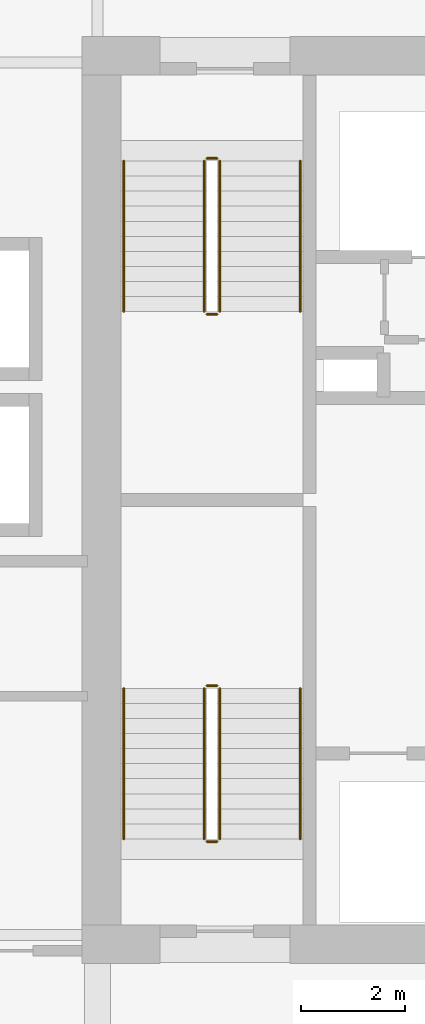
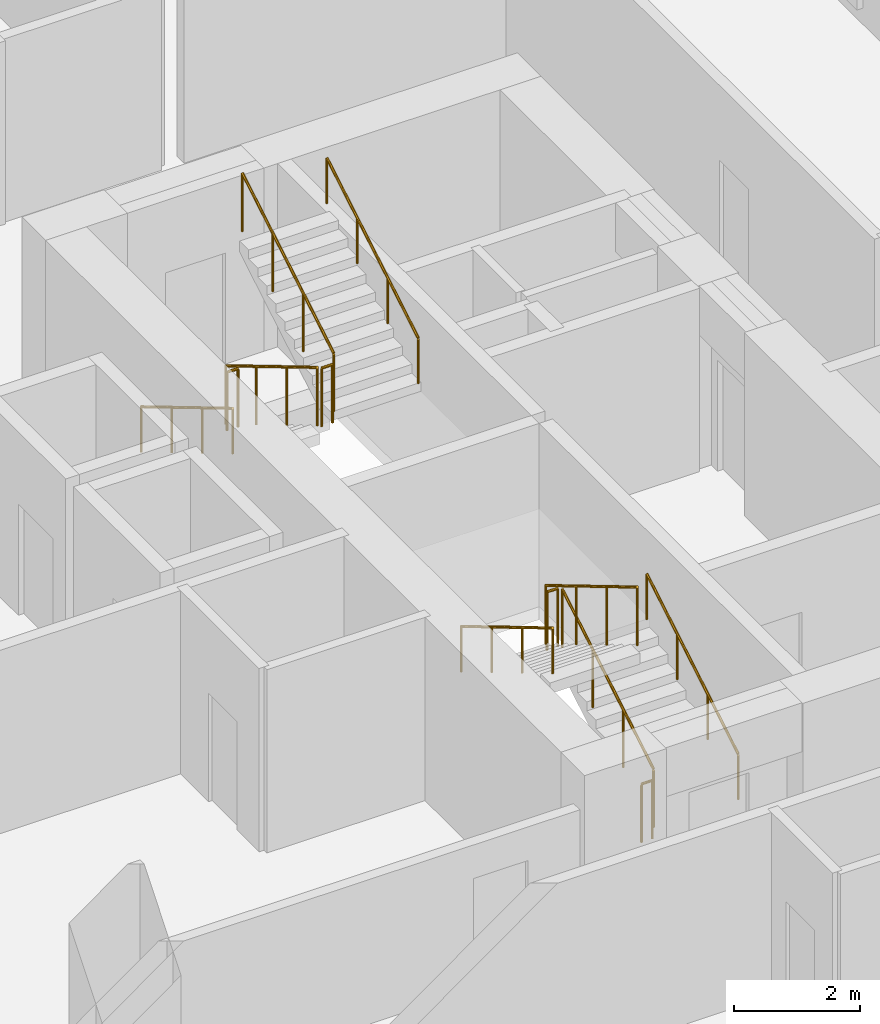
# One storey, part 22 of 23: 12 railings.
"""IFC4 building model written with IfcOpenShell, lengths in metres."""

import ifcopenshell
import ifcopenshell.guid

model = None  # the IFC model being written
_history = None  # IfcOwnerHistory: only IFC2X3 demands one
_inside = {}  # id of a spatial element -> (the spatial element, [elements in it])
_under = {}  # id of a project, library or spatial element -> (it, [spatial elements below it])
_declared = {}  # id of a project -> (the project, [libraries it declares])
_typed = {}  # id of a type object -> (the type object, [elements of that type])
_made_of = {}  # id of a material, layer set ... -> (it, [elements and type objects made of it])


def new_model(schema):
    """Start an empty IFC model of exactly this schema.

    Asked for "IFC4X3", IfcOpenShell would pick the latest addendum, in which some entities
    have other attributes; the version numbers below select the first issue.
    IFC2X3 requires an IfcOwnerHistory on every rooted entity: one is made here for all.
    """
    global model, _history
    if schema == "IFC4X3":
        model = ifcopenshell.file(schema_version=(4, 3, 0, 0))
    else:
        model = ifcopenshell.file(schema=schema)
    _inside.clear()
    _under.clear()
    _declared.clear()
    _typed.clear()
    _made_of.clear()
    _history = None
    if model.schema == "IFC2X3":
        org = make("IfcOrganization", Name="unknown")
        user = make(
            "IfcPersonAndOrganization",
            ThePerson=make("IfcPerson", FamilyName="unknown"),
            TheOrganization=org,
        )
        app = make(
            "IfcApplication",
            ApplicationDeveloper=org,
            Version="unknown",
            ApplicationFullName="unknown",
            ApplicationIdentifier="unknown",
        )
        _history = make(
            "IfcOwnerHistory",
            OwningUser=user,
            OwningApplication=app,
            ChangeAction="ADDED",
            CreationDate=0,
        )
    return model


def make(cls, **values):
    """One entity of the class cls with the attributes given. An attribute that is None is left unset."""
    return model.create_entity(
        cls, **{name: value for name, value in values.items() if value is not None}
    )


def rooted(cls, **values):
    """An entity with a GlobalId (a new one), such as an element, a storey or a relation."""
    return make(cls, GlobalId=ifcopenshell.guid.new(), OwnerHistory=_history, **values)


def si_unit(unit_type, name, prefix=None):
    """IfcSIUnit, for example si_unit("LENGTHUNIT", "METRE", prefix="MILLI")."""
    return make("IfcSIUnit", UnitType=unit_type, Prefix=prefix, Name=name)


def assignment(units):
    """IfcUnitAssignment: the units of a project."""
    return None if units is None else make("IfcUnitAssignment", Units=units)


def point(xyz):
    """IfcCartesianPoint."""
    return None if xyz is None else make("IfcCartesianPoint", Coordinates=xyz)


def direction(xyz):
    """IfcDirection."""
    return None if xyz is None else make("IfcDirection", DirectionRatios=xyz)


def frame(location, z_axis=None, x_axis=None):
    """IfcAxis2Placement3D, a coordinate frame: its origin and axes. An axis left out is left unset."""
    return make(
        "IfcAxis2Placement3D",
        Location=point(location),
        Axis=direction(z_axis),
        RefDirection=direction(x_axis),
    )


def frame_2d(location, x_axis=None):
    """IfcAxis2Placement2D, a coordinate frame in the plane: its origin and x axis."""
    return make(
        "IfcAxis2Placement2D", Location=point(location), RefDirection=direction(x_axis)
    )


def origin():
    """The frame at (0, 0, 0) with its axes left unset."""
    return frame((0.0, 0.0, 0.0))


def origin_2d():
    """The frame at (0, 0) in the plane with its x axis left unset."""
    return frame_2d((0.0, 0.0))


def place(relative_to, where):
    """IfcLocalPlacement: puts the frame where relative to a parent placement (None: the world)."""
    return make(
        "IfcLocalPlacement", PlacementRelTo=relative_to, RelativePlacement=where
    )


def context(
    kind, dimensions, precision=None, world=None, true_north=None, identifier=None
):
    """IfcGeometricRepresentationContext, for example the 3D "Model" context."""
    return make(
        "IfcGeometricRepresentationContext",
        ContextIdentifier=identifier,
        ContextType=kind,
        CoordinateSpaceDimension=dimensions,
        Precision=precision,
        WorldCoordinateSystem=world,
        TrueNorth=true_north,
    )


def subcontext(parent, identifier, kind, view, scale=None):
    """IfcGeometricRepresentationSubContext, for example "Body" below "Model"."""
    return make(
        "IfcGeometricRepresentationSubContext",
        ContextIdentifier=identifier,
        ContextType=kind,
        ParentContext=parent,
        TargetScale=scale,
        TargetView=view,
    )


def project(units=None, contexts=None):
    """IfcProject with its units and contexts."""
    return rooted(
        "IfcProject",
        Name="project",
        RepresentationContexts=contexts,
        UnitsInContext=assignment(units),
    )


def spatial(cls, under=None, at=None, **own):
    """A site, building, storey or space (cls), placed at a placement, below another one or the project."""
    s = rooted(cls, ObjectPlacement=at, **own)
    if under is not None:
        _under.setdefault(under.id(), (under, []))[1].append(s)
    return s


def profile(cls, at=None, kind="AREA", **sizes):
    """A parametric profile (cls). Its sizes go by their IFC names, for example OverallWidth=200.0."""
    return make(cls, ProfileType=kind, Position=at, **sizes)


def circle(**sizes):
    """IfcCircleProfileDef."""
    return profile("IfcCircleProfileDef", **sizes)


def extrude(swept, where, along, depth):
    """IfcExtrudedAreaSolid: the profile swept, set in the frame where, extruded along a direction by depth."""
    return make(
        "IfcExtrudedAreaSolid",
        SweptArea=swept,
        Position=where,
        ExtrudedDirection=direction(along),
        Depth=depth,
    )


def shape(context_of_items, identifier, shape_type, items):
    """IfcShapeRepresentation: the items that make up one representation, for example the "Body"."""
    return make(
        "IfcShapeRepresentation",
        ContextOfItems=context_of_items,
        RepresentationIdentifier=identifier,
        RepresentationType=shape_type,
        Items=items,
    )


def material(Name=None, Category=None):
    """IfcMaterial."""
    return make("IfcMaterial", Name=Name, Category=Category)


def made_of(thing, what):
    """Note that an element or type object is made of a material, layer set ...; save() writes the relation."""
    if what is not None:
        _made_of.setdefault(what.id(), (what, []))[1].append(thing)
    return thing


def type_object(cls, material=None, **own):
    """A type object (cls), such as IfcWallType, which elements share."""
    return made_of(rooted(cls, **own), material)


def element(
    cls,
    number,
    at=None,
    inside=None,
    cuts=None,
    type_object=None,
    material=None,
    context=None,
    identifier="Body",
    shape_type=None,
    held_by="IfcProductDefinitionShape",
    body=None,
    shapes=None,
    **own,
):
    """One element of the class cls, such as IfcWall. Its Tag is "e" and its number.

    at: its placement. inside: the storey or other place that contains it. cuts: it is an
    opening in that element (IfcRelVoidsElement). A single representation is given by context,
    identifier, shape_type and body (its items); several are given by shapes. held_by: the class
    of the entity that holds the representations. save() writes the other relations.
    """
    e = rooted(cls, Tag="e%d" % number, ObjectPlacement=at, **own)
    if body is not None:
        shapes = [shape(context, identifier, shape_type, body)]
    if shapes is not None:
        e.Representation = make(held_by, Representations=shapes)
    if inside is not None:
        _inside.setdefault(inside.id(), (inside, []))[1].append(e)
    if cuts is not None:
        rooted(
            "IfcRelVoidsElement", RelatingBuildingElement=cuts, RelatedOpeningElement=e
        )
    if type_object is not None:
        _typed.setdefault(type_object.id(), (type_object, []))[1].append(e)
    return made_of(e, material)


def aggregate(whole, parts):
    """IfcRelAggregates: a whole, such as a stair, and the parts it consists of."""
    return rooted("IfcRelAggregates", RelatingObject=whole, RelatedObjects=parts)


def save(model, path):
    """Write the relations noted so far, then the file.

    IfcRelAggregates (storeys below a building ...), IfcRelContainedInSpatialStructure (elements
    in a storey), IfcRelDefinesByType, IfcRelAssociatesMaterial and IfcRelDeclares: one each for
    every whole, place, type object, material and project.
    """
    for whole, parts in _under.values():
        aggregate(whole, parts)
    for where, things in _inside.values():
        rooted(
            "IfcRelContainedInSpatialStructure",
            RelatedElements=things,
            RelatingStructure=where,
        )
    for kind, things in _typed.values():
        rooted("IfcRelDefinesByType", RelatedObjects=things, RelatingType=kind)
    for what, things in _made_of.values():
        rooted("IfcRelAssociatesMaterial", RelatedObjects=things, RelatingMaterial=what)
    for by, libraries in _declared.values():
        rooted("IfcRelDeclares", RelatingContext=by, RelatedDefinitions=libraries)
    model.write(path)


model = new_model("IFC4")

# Units and contexts
model_context = context("Model", 3, precision=1e-05, world=origin(), true_north=direction((0.0, 1.0)))
body_context = subcontext(model_context, "Body", "Model", "MODEL_VIEW")
ifc_project = project(units=[si_unit("LENGTHUNIT", "METRE"), si_unit("AREAUNIT", "SQUARE_METRE"), si_unit("VOLUMEUNIT", "CUBIC_METRE"), si_unit("PLANEANGLEUNIT", "RADIAN"), si_unit("MASSUNIT", "GRAM", prefix="KILO")], contexts=[model_context])

# Site, building, storey
site_placement = place(None, origin())
site = spatial("IfcSite", under=ifc_project, at=site_placement, CompositionType="ELEMENT")
building_placement = place(site_placement, origin())
building = spatial("IfcBuilding", under=site, at=building_placement, Name="Koriwani Terraces Tower", CompositionType="ELEMENT")
storey_placement = place(building_placement, frame((0.0, 0.0, 119.0)))
storey = spatial("IfcBuildingStorey", under=building, at=storey_placement, Name="L28", CompositionType="ELEMENT", Elevation=119.0)

# Railings
ifc_material = material(Name="Steel ASTM A572 Grade 50", Category="steel")
railing_type_1 = type_object("IfcRailingType", Name="GUARD_STAIR_WELL_1120", PredefinedType="GUARDRAIL", material=ifc_material)
railing_1_placement = place(storey_placement, frame((19.14990234375, 43.85009765625, 0.172607421875)))
element("IfcRailing", 1, at=railing_1_placement, inside=storey, type_object=railing_type_1, Name="L28 ST-W1 stair guard 1", PredefinedType="GUARDRAIL", context=body_context, shape_type="SweptSolid", body=[
    extrude(circle(Radius=0.02392578125, at=origin_2d()), frame((0.0, 0.0, 1.1259765625), z_axis=(0.0, 0.859141464434, 0.511738159696), x_axis=(-1.0, 0.0, 0.0)), (0.0, 0.0, 1.0), 3.375244140625),
    extrude(circle(Radius=0.02099609375, at=origin_2d()), origin(), (0.0, 0.0, 1.0), 1.101806640625),
    extrude(circle(Radius=0.02099609375, at=origin_2d()), frame((0.0, 0.966552734375, 0.57568359375)), (0.0, 0.0, 1.0), 1.101806640625),
    extrude(circle(Radius=0.02099609375, at=origin_2d()), frame((0.0, 1.933349609375, 1.151611328125)), (0.0, 0.0, 1.0), 1.101806640625),
    extrude(circle(Radius=0.02099609375, at=origin_2d()), frame((0.0, 2.89990234375, 1.727294921875)), (0.0, 0.0, 1.0), 1.101806640625),
])
railing_2_placement = place(storey_placement, frame((19.10009765625, 46.800048828125, 1.89990234375)))
element("IfcRailing", 2, at=railing_2_placement, inside=storey, type_object=railing_type_1, Name="L28 ST-W1 stair guard 2", PredefinedType="GUARDRAIL", context=body_context, shape_type="SweptSolid", body=[
    extrude(circle(Radius=0.02392578125, at=origin_2d()), frame((0.0, 0.0, 1.1259765625), z_axis=(-1.0, 0.0, 0.0), x_axis=(0.0, -1.0, 0.0)), (0.0, 0.0, 1.0), 0.2001953125),
    extrude(circle(Radius=0.02099609375, at=origin_2d()), origin(), (0.0, 0.0, 1.0), 1.101806640625),
    extrude(circle(Radius=0.02099609375, at=origin_2d()), frame((-0.2001953125, 0.0, 0.0)), (0.0, 0.0, 1.0), 1.101806640625),
])
railing_3_placement = place(storey_placement, frame((18.85009765625, 46.75, 2.07275390625)))
element("IfcRailing", 3, at=railing_3_placement, inside=storey, type_object=railing_type_1, Name="L28 ST-W1 stair guard 3", PredefinedType="GUARDRAIL", context=body_context, shape_type="SweptSolid", body=[
    extrude(circle(Radius=0.02392578125, at=origin_2d()), frame((0.0, 0.0, 1.1259765625), z_axis=(0.0, -0.859141464434, 0.511738159696), x_axis=(1.0, 0.0, 0.0)), (0.0, 0.0, 1.0), 3.375244140625),
    extrude(circle(Radius=0.02099609375, at=origin_2d()), origin(), (0.0, 0.0, 1.0), 1.101806640625),
    extrude(circle(Radius=0.02099609375, at=origin_2d()), frame((0.0, -0.966552734375, 0.57568359375)), (0.0, 0.0, 1.0), 1.101806640625),
    extrude(circle(Radius=0.02099609375, at=origin_2d()), frame((0.0, -1.933349609375, 1.151611328125)), (0.0, 0.0, 1.0), 1.101806640625),
    extrude(circle(Radius=0.02099609375, at=origin_2d()), frame((0.0, -2.89990234375, 1.727294921875)), (0.0, 0.0, 1.0), 1.101806640625),
])
railing_4_placement = place(storey_placement, frame((19.10009765625, 43.800048828125, 0.0)))
element("IfcRailing", 4, at=railing_4_placement, inside=storey, type_object=railing_type_1, Name="L28 ST-W1 stair guard 4", PredefinedType="GUARDRAIL", context=body_context, shape_type="SweptSolid", body=[
    extrude(circle(Radius=0.02392578125, at=origin_2d()), frame((0.0, 0.0, 1.1259765625), z_axis=(-1.0, 0.0, 0.0), x_axis=(0.0, -1.0, 0.0)), (0.0, 0.0, 1.0), 0.2001953125),
    extrude(circle(Radius=0.02099609375, at=origin_2d()), origin(), (0.0, 0.0, 1.0), 1.101806640625),
    extrude(circle(Radius=0.02099609375, at=origin_2d()), frame((-0.2001953125, 0.0, 0.0)), (0.0, 0.0, 1.0), 1.101806640625),
])
railing_5_placement = place(storey_placement, frame((18.85009765625, 56.89990234375, 0.172607421875)))
element("IfcRailing", 5, at=railing_5_placement, inside=storey, type_object=railing_type_1, Name="L28 ST-W2 stair guard 1", PredefinedType="GUARDRAIL", context=body_context, shape_type="SweptSolid", body=[
    extrude(circle(Radius=0.02392578125, at=origin_2d()), frame((0.0, 0.0, 1.1259765625), z_axis=(0.0, -0.859141464434, 0.511738159696), x_axis=(1.0, 0.0, 0.0)), (0.0, 0.0, 1.0), 3.375244140625),
    extrude(circle(Radius=0.02099609375, at=origin_2d()), origin(), (0.0, 0.0, 1.0), 1.101806640625),
    extrude(circle(Radius=0.02099609375, at=origin_2d()), frame((0.0, -0.966552734375, 0.57568359375)), (0.0, 0.0, 1.0), 1.101806640625),
    extrude(circle(Radius=0.02099609375, at=origin_2d()), frame((0.0, -1.933349609375, 1.151611328125)), (0.0, 0.0, 1.0), 1.101806640625),
    extrude(circle(Radius=0.02099609375, at=origin_2d()), frame((0.0, -2.89990234375, 1.727294921875)), (0.0, 0.0, 1.0), 1.101806640625),
])
railing_6_placement = place(storey_placement, frame((18.89990234375, 53.949951171875, 1.89990234375)))
element("IfcRailing", 6, at=railing_6_placement, inside=storey, type_object=railing_type_1, Name="L28 ST-W2 stair guard 2", PredefinedType="GUARDRAIL", context=body_context, shape_type="SweptSolid", body=[
    extrude(circle(Radius=0.02392578125, at=origin_2d()), frame((0.0, 0.0, 1.1259765625), z_axis=(1.0, 0.0, 0.0), x_axis=(0.0, 1.0, 0.0)), (0.0, 0.0, 1.0), 0.2001953125),
    extrude(circle(Radius=0.02099609375, at=origin_2d()), origin(), (0.0, 0.0, 1.0), 1.101806640625),
    extrude(circle(Radius=0.02099609375, at=origin_2d()), frame((0.2001953125, 0.0, 0.0)), (0.0, 0.0, 1.0), 1.101806640625),
])
railing_7_placement = place(storey_placement, frame((19.14990234375, 54.0, 2.07275390625)))
element("IfcRailing", 7, at=railing_7_placement, inside=storey, type_object=railing_type_1, Name="L28 ST-W2 stair guard 3", PredefinedType="GUARDRAIL", context=body_context, shape_type="SweptSolid", body=[
    extrude(circle(Radius=0.02392578125, at=origin_2d()), frame((0.0, 0.0, 1.1259765625), z_axis=(0.0, 0.859141464434, 0.511738159696), x_axis=(-1.0, 0.0, 0.0)), (0.0, 0.0, 1.0), 3.375244140625),
    extrude(circle(Radius=0.02099609375, at=origin_2d()), origin(), (0.0, 0.0, 1.0), 1.101806640625),
    extrude(circle(Radius=0.02099609375, at=origin_2d()), frame((0.0, 0.966552734375, 0.57568359375)), (0.0, 0.0, 1.0), 1.101806640625),
    extrude(circle(Radius=0.02099609375, at=origin_2d()), frame((0.0, 1.933349609375, 1.151611328125)), (0.0, 0.0, 1.0), 1.101806640625),
    extrude(circle(Radius=0.02099609375, at=origin_2d()), frame((0.0, 2.89990234375, 1.727294921875)), (0.0, 0.0, 1.0), 1.101806640625),
])
railing_8_placement = place(storey_placement, frame((18.89990234375, 56.949951171875, 0.0)))
element("IfcRailing", 8, at=railing_8_placement, inside=storey, type_object=railing_type_1, Name="L28 ST-W2 stair guard 4", PredefinedType="GUARDRAIL", context=body_context, shape_type="SweptSolid", body=[
    extrude(circle(Radius=0.02392578125, at=origin_2d()), frame((0.0, 0.0, 1.1259765625), z_axis=(1.0, 0.0, 0.0), x_axis=(0.0, 1.0, 0.0)), (0.0, 0.0, 1.0), 0.2001953125),
    extrude(circle(Radius=0.02099609375, at=origin_2d()), origin(), (0.0, 0.0, 1.0), 1.101806640625),
    extrude(circle(Radius=0.02099609375, at=origin_2d()), frame((0.2001953125, 0.0, 0.0)), (0.0, 0.0, 1.0), 1.101806640625),
])
railing_type_2 = type_object("IfcRailingType", Name="HANDRAIL_STAIR_920", PredefinedType="HANDRAIL", material=ifc_material)
railing_9_placement = place(storey_placement, frame((20.699951171875, 43.85009765625, 0.172607421875)))
element("IfcRailing", 9, at=railing_9_placement, inside=storey, type_object=railing_type_2, Name="L28 ST-W1 stair handrail 1", PredefinedType="HANDRAIL", context=body_context, shape_type="SweptSolid", body=[
    extrude(circle(Radius=0.02392578125, at=origin_2d()), frame((0.0, 0.0, 0.8759765625), z_axis=(0.0, 0.859141464434, 0.511738159696), x_axis=(-1.0, 0.0, 0.0)), (0.0, 0.0, 1.0), 3.375244140625),
    extrude(circle(Radius=0.02099609375, at=origin_2d()), origin(), (0.0, 0.0, 1.0), 0.851806640625),
    extrude(circle(Radius=0.02099609375, at=origin_2d()), frame((0.0, 0.966552734375, 0.57568359375)), (0.0, 0.0, 1.0), 0.851806640625),
    extrude(circle(Radius=0.02099609375, at=origin_2d()), frame((0.0, 1.933349609375, 1.151611328125)), (0.0, 0.0, 1.0), 0.851806640625),
    extrude(circle(Radius=0.02099609375, at=origin_2d()), frame((0.0, 2.89990234375, 1.727294921875)), (0.0, 0.0, 1.0), 0.851806640625),
])
for number, where, name in (
    (10, (17.300048828125, 46.75, 2.07275390625), "L28 ST-W1 stair handrail 2"),
    (11, (17.300048828125, 56.89990234375, 0.172607421875), "L28 ST-W2 stair handrail 1"),
):
    element("IfcRailing", number, at=place(storey_placement, frame(where)), inside=storey, type_object=railing_type_2, Name=name, PredefinedType="HANDRAIL", context=body_context, shape_type="SweptSolid", body=[
        extrude(circle(Radius=0.02392578125, at=origin_2d()), frame((0.0, 0.0, 0.8759765625), z_axis=(0.0, -0.859141464434, 0.511738159696), x_axis=(1.0, 0.0, 0.0)), (0.0, 0.0, 1.0), 3.375244140625),
        extrude(circle(Radius=0.02099609375, at=origin_2d()), origin(), (0.0, 0.0, 1.0), 0.851806640625),
        extrude(circle(Radius=0.02099609375, at=origin_2d()), frame((0.0, -0.966552734375, 0.57568359375)), (0.0, 0.0, 1.0), 0.851806640625),
        extrude(circle(Radius=0.02099609375, at=origin_2d()), frame((0.0, -1.933349609375, 1.151611328125)), (0.0, 0.0, 1.0), 0.851806640625),
        extrude(circle(Radius=0.02099609375, at=origin_2d()), frame((0.0, -2.89990234375, 1.727294921875)), (0.0, 0.0, 1.0), 0.851806640625),
    ])
railing_10_placement = place(storey_placement, frame((20.699951171875, 54.0, 2.07275390625)))
element("IfcRailing", 12, at=railing_10_placement, inside=storey, type_object=railing_type_2, Name="L28 ST-W2 stair handrail 2", PredefinedType="HANDRAIL", context=body_context, shape_type="SweptSolid", body=[
    extrude(circle(Radius=0.02392578125, at=origin_2d()), frame((0.0, 0.0, 0.8759765625), z_axis=(0.0, 0.859141464434, 0.511738159696), x_axis=(-1.0, 0.0, 0.0)), (0.0, 0.0, 1.0), 3.375244140625),
    extrude(circle(Radius=0.02099609375, at=origin_2d()), origin(), (0.0, 0.0, 1.0), 0.851806640625),
    extrude(circle(Radius=0.02099609375, at=origin_2d()), frame((0.0, 0.966552734375, 0.57568359375)), (0.0, 0.0, 1.0), 0.851806640625),
    extrude(circle(Radius=0.02099609375, at=origin_2d()), frame((0.0, 1.933349609375, 1.151611328125)), (0.0, 0.0, 1.0), 0.851806640625),
    extrude(circle(Radius=0.02099609375, at=origin_2d()), frame((0.0, 2.89990234375, 1.727294921875)), (0.0, 0.0, 1.0), 0.851806640625),
])

save(model, "model.ifc")
